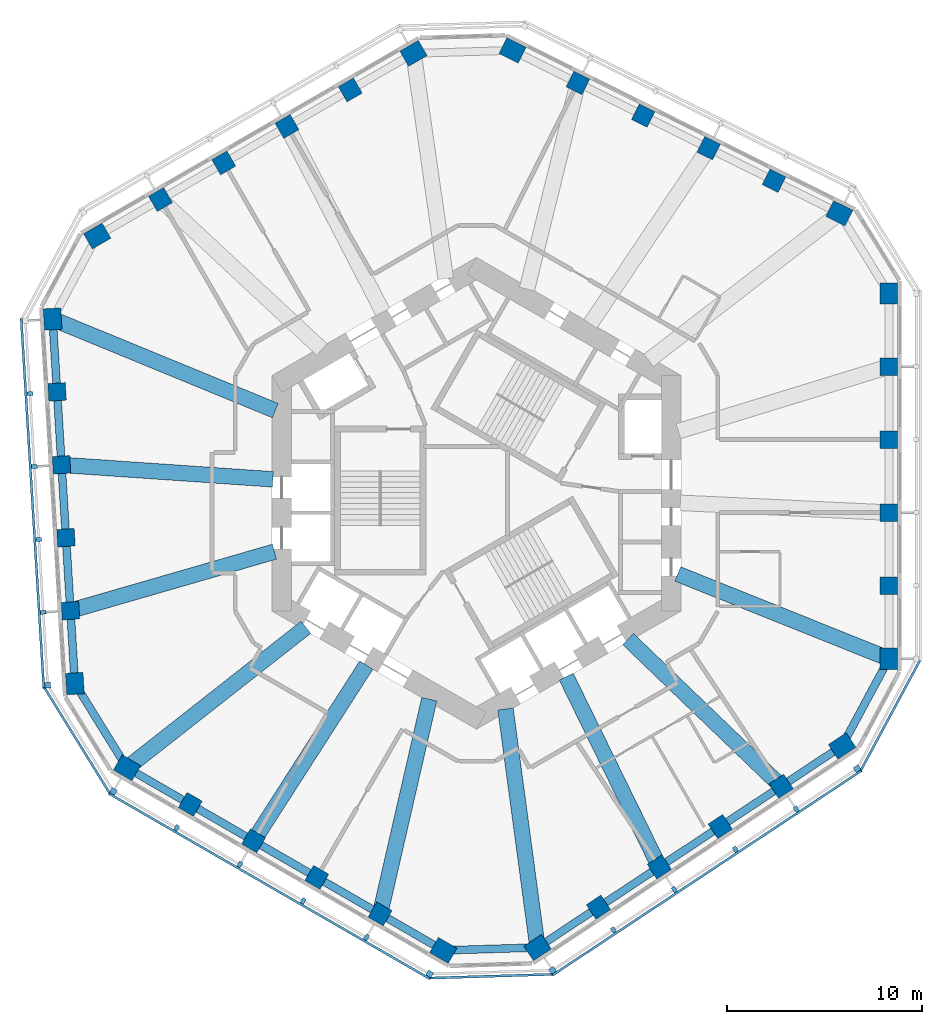
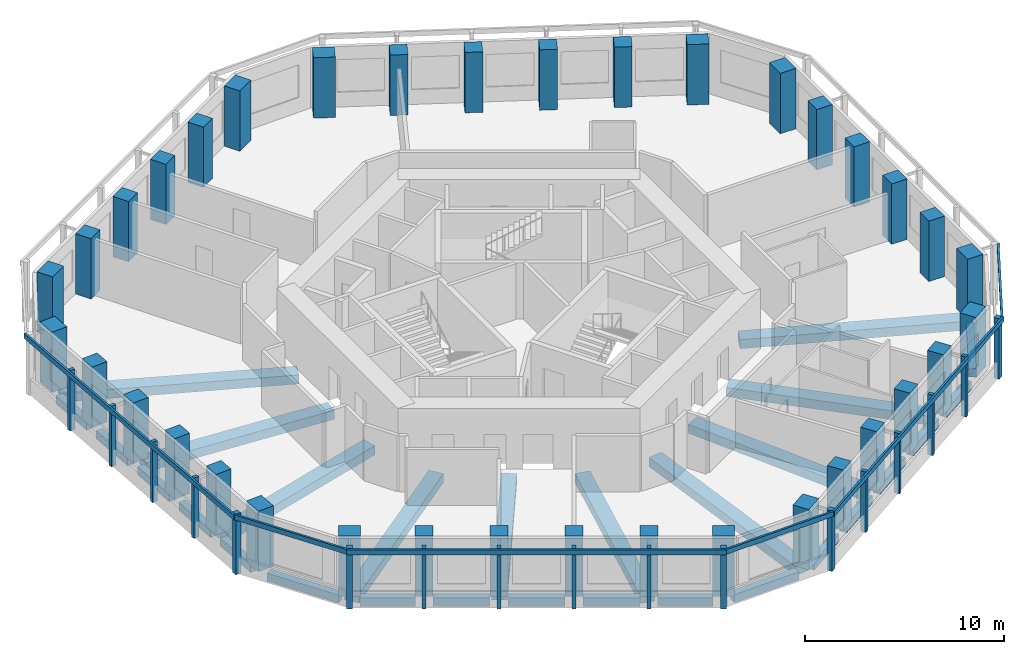
# One storey, part 1 of 10: 36 columns, 28 beams, 23 members, 6 elements without a shape of their own.
"""IFC4 building model written with IfcOpenShell, lengths in metres."""

import ifcopenshell
import ifcopenshell.guid

model = None  # the IFC model being written
_history = None  # IfcOwnerHistory: only IFC2X3 demands one
_inside = {}  # id of a spatial element -> (the spatial element, [elements in it])
_under = {}  # id of a project, library or spatial element -> (it, [spatial elements below it])
_declared = {}  # id of a project -> (the project, [libraries it declares])
_typed = {}  # id of a type object -> (the type object, [elements of that type])
_made_of = {}  # id of a material, layer set ... -> (it, [elements and type objects made of it])


def new_model(schema):
    """Start an empty IFC model of exactly this schema.

    Asked for "IFC4X3", IfcOpenShell would pick the latest addendum, in which some entities
    have other attributes; the version numbers below select the first issue.
    IFC2X3 requires an IfcOwnerHistory on every rooted entity: one is made here for all.
    """
    global model, _history
    if schema == "IFC4X3":
        model = ifcopenshell.file(schema_version=(4, 3, 0, 0))
    else:
        model = ifcopenshell.file(schema=schema)
    _inside.clear()
    _under.clear()
    _declared.clear()
    _typed.clear()
    _made_of.clear()
    _history = None
    if model.schema == "IFC2X3":
        org = make("IfcOrganization", Name="unknown")
        user = make(
            "IfcPersonAndOrganization",
            ThePerson=make("IfcPerson", FamilyName="unknown"),
            TheOrganization=org,
        )
        app = make(
            "IfcApplication",
            ApplicationDeveloper=org,
            Version="unknown",
            ApplicationFullName="unknown",
            ApplicationIdentifier="unknown",
        )
        _history = make(
            "IfcOwnerHistory",
            OwningUser=user,
            OwningApplication=app,
            ChangeAction="ADDED",
            CreationDate=0,
        )
    return model


def make(cls, **values):
    """One entity of the class cls with the attributes given. An attribute that is None is left unset."""
    return model.create_entity(
        cls, **{name: value for name, value in values.items() if value is not None}
    )


def rooted(cls, **values):
    """An entity with a GlobalId (a new one), such as an element, a storey or a relation."""
    return make(cls, GlobalId=ifcopenshell.guid.new(), OwnerHistory=_history, **values)


def si_unit(unit_type, name, prefix=None):
    """IfcSIUnit, for example si_unit("LENGTHUNIT", "METRE", prefix="MILLI")."""
    return make("IfcSIUnit", UnitType=unit_type, Prefix=prefix, Name=name)


def assignment(units):
    """IfcUnitAssignment: the units of a project."""
    return None if units is None else make("IfcUnitAssignment", Units=units)


def point(xyz):
    """IfcCartesianPoint."""
    return None if xyz is None else make("IfcCartesianPoint", Coordinates=xyz)


def direction(xyz):
    """IfcDirection."""
    return None if xyz is None else make("IfcDirection", DirectionRatios=xyz)


def frame(location, z_axis=None, x_axis=None):
    """IfcAxis2Placement3D, a coordinate frame: its origin and axes. An axis left out is left unset."""
    return make(
        "IfcAxis2Placement3D",
        Location=point(location),
        Axis=direction(z_axis),
        RefDirection=direction(x_axis),
    )


def frame_2d(location, x_axis=None):
    """IfcAxis2Placement2D, a coordinate frame in the plane: its origin and x axis."""
    return make(
        "IfcAxis2Placement2D", Location=point(location), RefDirection=direction(x_axis)
    )


def origin():
    """The frame at (0, 0, 0) with its axes left unset."""
    return frame((0.0, 0.0, 0.0))


def origin_2d():
    """The frame at (0, 0) in the plane with its x axis left unset."""
    return frame_2d((0.0, 0.0))


def place(relative_to, where):
    """IfcLocalPlacement: puts the frame where relative to a parent placement (None: the world)."""
    return make(
        "IfcLocalPlacement", PlacementRelTo=relative_to, RelativePlacement=where
    )


def context(
    kind, dimensions, precision=None, world=None, true_north=None, identifier=None
):
    """IfcGeometricRepresentationContext, for example the 3D "Model" context."""
    return make(
        "IfcGeometricRepresentationContext",
        ContextIdentifier=identifier,
        ContextType=kind,
        CoordinateSpaceDimension=dimensions,
        Precision=precision,
        WorldCoordinateSystem=world,
        TrueNorth=true_north,
    )


def subcontext(parent, identifier, kind, view, scale=None):
    """IfcGeometricRepresentationSubContext, for example "Body" below "Model"."""
    return make(
        "IfcGeometricRepresentationSubContext",
        ContextIdentifier=identifier,
        ContextType=kind,
        ParentContext=parent,
        TargetScale=scale,
        TargetView=view,
    )


def project(units=None, contexts=None):
    """IfcProject with its units and contexts."""
    return rooted(
        "IfcProject",
        Name="project",
        RepresentationContexts=contexts,
        UnitsInContext=assignment(units),
    )


def spatial(cls, under=None, at=None, **own):
    """A site, building, storey or space (cls), placed at a placement, below another one or the project."""
    s = rooted(cls, ObjectPlacement=at, **own)
    if under is not None:
        _under.setdefault(under.id(), (under, []))[1].append(s)
    return s


def profile(cls, at=None, kind="AREA", **sizes):
    """A parametric profile (cls). Its sizes go by their IFC names, for example OverallWidth=200.0."""
    return make(cls, ProfileType=kind, Position=at, **sizes)


def rectangle(**sizes):
    """IfcRectangleProfileDef."""
    return profile("IfcRectangleProfileDef", **sizes)


def extrude(swept, where, along, depth):
    """IfcExtrudedAreaSolid: the profile swept, set in the frame where, extruded along a direction by depth."""
    return make(
        "IfcExtrudedAreaSolid",
        SweptArea=swept,
        Position=where,
        ExtrudedDirection=direction(along),
        Depth=depth,
    )


def shape(context_of_items, identifier, shape_type, items):
    """IfcShapeRepresentation: the items that make up one representation, for example the "Body"."""
    return make(
        "IfcShapeRepresentation",
        ContextOfItems=context_of_items,
        RepresentationIdentifier=identifier,
        RepresentationType=shape_type,
        Items=items,
    )


def material(Name=None, Category=None):
    """IfcMaterial."""
    return make("IfcMaterial", Name=Name, Category=Category)


def material_profile(
    of_material, cross_section, Name=None, Category=None, Priority=None
):
    """IfcMaterialProfile: a cross section and its material."""
    return make(
        "IfcMaterialProfile",
        Name=Name,
        Material=of_material,
        Profile=cross_section,
        Priority=Priority,
        Category=Category,
    )


def profile_set(profiles, Name=None, composite=None):
    """IfcMaterialProfileSet."""
    return make(
        "IfcMaterialProfileSet",
        Name=Name,
        MaterialProfiles=profiles,
        CompositeProfile=composite,
    )


def made_of(thing, what):
    """Note that an element or type object is made of a material, layer set ...; save() writes the relation."""
    if what is not None:
        _made_of.setdefault(what.id(), (what, []))[1].append(thing)
    return thing


def type_object(cls, material=None, **own):
    """A type object (cls), such as IfcWallType, which elements share."""
    return made_of(rooted(cls, **own), material)


def element(
    cls,
    number,
    at=None,
    inside=None,
    cuts=None,
    type_object=None,
    material=None,
    context=None,
    identifier="Body",
    shape_type=None,
    held_by="IfcProductDefinitionShape",
    body=None,
    shapes=None,
    **own,
):
    """One element of the class cls, such as IfcWall. Its Tag is "e" and its number.

    at: its placement. inside: the storey or other place that contains it. cuts: it is an
    opening in that element (IfcRelVoidsElement). A single representation is given by context,
    identifier, shape_type and body (its items); several are given by shapes. held_by: the class
    of the entity that holds the representations. save() writes the other relations.
    """
    e = rooted(cls, Tag="e%d" % number, ObjectPlacement=at, **own)
    if body is not None:
        shapes = [shape(context, identifier, shape_type, body)]
    if shapes is not None:
        e.Representation = make(held_by, Representations=shapes)
    if inside is not None:
        _inside.setdefault(inside.id(), (inside, []))[1].append(e)
    if cuts is not None:
        rooted(
            "IfcRelVoidsElement", RelatingBuildingElement=cuts, RelatedOpeningElement=e
        )
    if type_object is not None:
        _typed.setdefault(type_object.id(), (type_object, []))[1].append(e)
    return made_of(e, material)


def aggregate(whole, parts):
    """IfcRelAggregates: a whole, such as a stair, and the parts it consists of."""
    return rooted("IfcRelAggregates", RelatingObject=whole, RelatedObjects=parts)


def save(model, path):
    """Write the relations noted so far, then the file.

    IfcRelAggregates (storeys below a building ...), IfcRelContainedInSpatialStructure (elements
    in a storey), IfcRelDefinesByType, IfcRelAssociatesMaterial and IfcRelDeclares: one each for
    every whole, place, type object, material and project.
    """
    for whole, parts in _under.values():
        aggregate(whole, parts)
    for where, things in _inside.values():
        rooted(
            "IfcRelContainedInSpatialStructure",
            RelatedElements=things,
            RelatingStructure=where,
        )
    for kind, things in _typed.values():
        rooted("IfcRelDefinesByType", RelatedObjects=things, RelatingType=kind)
    for what, things in _made_of.values():
        rooted("IfcRelAssociatesMaterial", RelatedObjects=things, RelatingMaterial=what)
    for by, libraries in _declared.values():
        rooted("IfcRelDeclares", RelatingContext=by, RelatedDefinitions=libraries)
    model.write(path)


model = new_model("IFC4")

# Units and contexts
model_context = context("Model", 3, precision=1e-05, world=origin(), true_north=direction((0.0, 1.0)))
body_context = subcontext(model_context, "Body", "Model", "MODEL_VIEW")
ifc_project = project(units=[si_unit("LENGTHUNIT", "METRE"), si_unit("AREAUNIT", "SQUARE_METRE"), si_unit("VOLUMEUNIT", "CUBIC_METRE"), si_unit("PLANEANGLEUNIT", "RADIAN"), si_unit("MASSUNIT", "GRAM", prefix="KILO")], contexts=[model_context])

# Site, building, storey
site_placement = place(None, origin())
site = spatial("IfcSite", under=ifc_project, at=site_placement, CompositionType="ELEMENT")
building_placement = place(site_placement, origin())
building = spatial("IfcBuilding", under=site, at=building_placement, Name="Vanh Sen Convention Tower", CompositionType="ELEMENT")
storey_placement = place(building_placement, frame((0.0, 0.0, 191.0)))
storey = spatial("IfcBuildingStorey", under=building, at=storey_placement, Name="L47", CompositionType="ELEMENT", Elevation=191.0)

# Columns
ifc_material_1 = material(Name="Concrete C80/95", Category="concrete")
ifc_material_profile_1 = material_profile(ifc_material_1, rectangle(XDim=0.89990234375, YDim=0.89990234375, at=origin_2d()), Name="RC 900X900")
ifc_profile_set_1 = profile_set([ifc_material_profile_1], Name="Concrete C80/95")
column_type_1 = type_object("IfcColumnType", Name="Facade column 900 x 900 C80/95", PredefinedType="COLUMN", material=ifc_profile_set_1)
for number, where, z_axis, x_axis, name in (
    (1, (21.199951171875, -4.746826171875, 0.0), (0.0, 0.0, 1.0), (0.0, 1.0, 0.0), "Facade column 02 L47"),
    (2, (21.199951171875, -0.992919921875, 0.0), (0.0, 0.0, 1.0), (0.0, 1.0, 0.0), "Facade column 03 L47"),
    (3, (21.199951171875, 2.76123046875, 0.0), (0.0, 0.0, 1.0), (0.0, 1.0, 0.0), "Facade column 04 L47"),
    (4, (21.199951171875, 6.515380859375, 0.0), (0.0, 0.0, 1.0), (0.0, 1.0, 0.0), "Facade column 05 L47"),
    (5, (15.290283203125, 16.0654296875, 0.0), (0.0, 0.0, 1.0), (-0.894934361602, 0.44619781311, 0.0), "Facade column 08 L47"),
    (6, (11.9306640625, 17.740478515625, 0.0), (0.0, 0.0, 1.0), (-0.894934361602, 0.44619781311, 0.0), "Facade column 09 L47"),
    (7, (8.57080078125, 19.41552734375, 0.0), (0.0, 0.0, 1.0), (-0.894934361602, 0.44619781311, 0.0), "Facade column 10 L47"),
    (8, (5.211181640625, 21.0908203125, 0.0), (0.0, 0.0, 1.0), (-0.894934361602, 0.44619781311, 0.0), "Facade column 11 L47"),
    (9, (-6.489013671875, 20.733154296875, 0.0), (0.0, 0.0, 1.0), (-0.866025403784, -0.5, 0.0), "Facade column 14 L47"),
    (10, (-9.740234375, 18.856201171875, 0.0), (0.0, 0.0, 1.0), (-0.866025403784, -0.5, 0.0), "Facade column 15 L47"),
    (11, (-12.991455078125, 16.97900390625, 0.0), (0.0, 0.0, 1.0), (-0.866025403784, -0.5, 0.0), "Facade column 16 L47"),
    (12, (-16.242431640625, 15.10205078125, 0.0), (0.0, 0.0, 1.0), (-0.866025403784, -0.5, 0.0), "Facade column 17 L47"),
    (13, (-21.55810546875, 5.208984375, 0.0), (0.0, 0.0, 1.0), (0.061048539535, -0.998134798422, 0.0), "Facade column 20 L47"),
    (14, (-21.3291015625, 1.4619140625, 0.0), (0.0, 0.0, 1.0), (0.061048539535, -0.998134798422, 0.0), "Facade column 21 L47"),
    (15, (-21.099853515625, -2.28515625, 0.0), (0.0, 0.0, 1.0), (0.061048539535, -0.998134798422, 0.0), "Facade column 22 L47"),
    (16, (-20.87060546875, -6.0322265625, 0.0), (0.0, 0.0, 1.0), (0.061048539535, -0.998134798422, 0.0), "Facade column 23 L47"),
    (17, (-14.7109375, -15.986328125, 0.0), (0.0, 0.0, 1.0), (0.866025403784, -0.5, 0.0), "Facade column 26 L47"),
    (18, (-11.459716796875, -17.86328125, 0.0), (0.0, 0.0, 1.0), (0.866025403784, -0.5, 0.0), "Facade column 27 L47"),
    (19, (-8.20849609375, -19.740478515625, 0.0), (0.0, 0.0, 1.0), (0.866025403784, -0.5, 0.0), "Facade column 28 L47"),
    (20, (-4.95751953125, -21.617431640625, 0.0), (0.0, 0.0, 1.0), (0.866025403784, -0.5, 0.0), "Facade column 29 L47"),
    (21, (6.267822265625, -21.2744140625, 0.0), (0.0, 0.0, 1.0), (0.833885822067, 0.551936985312, 0.0), "Facade column 32 L47"),
    (22, (9.3984375, -19.202392578125, 0.0), (0.0, 0.0, 1.0), (0.833885822067, 0.551936985312, 0.0), "Facade column 33 L47"),
    (23, (12.52880859375, -17.13037109375, 0.0), (0.0, 0.0, 1.0), (0.833885822067, 0.551936985312, 0.0), "Facade column 34 L47"),
    (24, (15.659423828125, -15.058349609375, 0.0), (0.0, 0.0, 1.0), (0.833885822067, 0.551936985312, 0.0), "Facade column 35 L47"),
):
    element("IfcColumn", number, at=place(storey_placement, frame(where, z_axis=z_axis, x_axis=x_axis)), inside=storey, type_object=column_type_1, Name=name, PredefinedType="COLUMN", context=body_context, shape_type="SweptSolid", body=[
        extrude(rectangle(XDim=0.89990234375, YDim=0.89990234375, at=origin_2d()), origin(), (0.0, 0.0, 1.0), 3.699951171875),
    ])
ifc_material_profile_2 = material_profile(ifc_material_1, rectangle(XDim=1.10009765625, YDim=0.89990234375, at=origin_2d()), Name="RC 1100X900")
ifc_profile_set_2 = profile_set([ifc_material_profile_2], Name="Concrete C80/95")
column_type_2 = type_object("IfcColumnType", Name="Facade corner column 1100 x 900 C80/95", PredefinedType="COLUMN", material=ifc_profile_set_2)
for number, where, z_axis, x_axis, name in (
    (25, (21.199951171875, -8.5009765625, 0.0), (0.0, 0.0, 1.0), (0.0, 1.0, 0.0), "Facade column 01 L47"),
    (26, (21.199951171875, 10.26953125, 0.0), (0.0, 0.0, 1.0), (0.0, 1.0, 0.0), "Facade column 06 L47"),
    (27, (18.64990234375, 14.390380859375, 0.0), (0.0, 0.0, 1.0), (-0.894934361602, 0.44619781311, 0.0), "Facade column 07 L47"),
    (28, (1.8515625, 22.765625, 0.0), (0.0, 0.0, 1.0), (-0.894934361602, 0.44619781311, 0.0), "Facade column 12 L47"),
    (29, (-3.23779296875, 22.610107421875, 0.0), (0.0, 0.0, 1.0), (-0.866025403784, -0.5, 0.0), "Facade column 13 L47"),
    (30, (-19.49365234375, 13.22509765625, 0.0), (0.0, 0.0, 1.0), (-0.866025403784, -0.5, 0.0), "Facade column 18 L47"),
    (31, (-21.787353515625, 8.956298828125, 0.0), (0.0, 0.0, 1.0), (0.061048539535, -0.998134798422, 0.0), "Facade column 19 L47"),
    (32, (-20.6416015625, -9.779296875, 0.0), (0.0, 0.0, 1.0), (0.061048539535, -0.998134798422, 0.0), "Facade column 24 L47"),
    (33, (-17.962158203125, -14.109130859375, 0.0), (0.0, 0.0, 1.0), (0.866025403784, -0.5, 0.0), "Facade column 25 L47"),
    (34, (-1.706298828125, -23.494384765625, 0.0), (0.0, 0.0, 1.0), (0.866025403784, -0.5, 0.0), "Facade column 30 L47"),
    (35, (3.137451171875, -23.346435546875, 0.0), (0.0, 0.0, 1.0), (0.833885822067, 0.551936985312, 0.0), "Facade column 31 L47"),
    (36, (18.789794921875, -12.986328125, 0.0), (0.0, 0.0, 1.0), (0.833885822067, 0.551936985312, 0.0), "Facade column 36 L47"),
):
    element("IfcColumn", number, at=place(storey_placement, frame(where, z_axis=z_axis, x_axis=x_axis)), inside=storey, type_object=column_type_2, Name=name, PredefinedType="COLUMN", context=body_context, shape_type="SweptSolid", body=[
        extrude(rectangle(XDim=1.10009765625, YDim=0.89990234375, at=origin_2d()), origin(), (0.0, 0.0, 1.0), 3.699951171875),
    ])

# Curtain wall, member
ifc_material_2 = material(Name="Concrete C50/60", Category="concrete")
curtain_wall_type = type_object("IfcCurtainWallType", Name="Outer skin office zone", PredefinedType="NOTDEFINED", material=ifc_material_2)
curtain_wall_1_placement = place(storey_placement, origin())
curtain_wall_1 = element("IfcCurtainWall", 37, at=curtain_wall_1_placement, inside=storey, type_object=curtain_wall_type, Name="OUTER SKIN W L47", PredefinedType="NOTDEFINED")
ifc_material_profile_3 = material_profile(ifc_material_2, rectangle(XDim=0.300048828125, YDim=0.300048828125, at=origin_2d()), Name="Outer skin precast corner fin 300 x 300")
ifc_profile_set_3 = profile_set([ifc_material_profile_3], Name="Concrete C50/60")
member_type_1 = type_object("IfcMemberType", Name="Outer skin precast corner fin 300 x 300", PredefinedType="MULLION", material=ifc_profile_set_3)
member_1_placement = place(storey_placement, frame((-22.038818359375, -9.864990234375, 0.0), z_axis=(0.0, 0.0, 1.0), x_axis=(0.061048539535, -0.998134798422, 0.0)))
member_1 = element("IfcMember", 38, at=member_1_placement, type_object=member_type_1, Name="OUTER SKIN CORNER FIN 6 W L47", PredefinedType="MULLION", context=body_context, shape_type="SweptSolid", body=[
    extrude(rectangle(XDim=0.300048828125, YDim=0.300048828125, at=origin_2d()), origin(), (0.0, 0.0, 1.0), 3.699951171875),
])

# Curtain wall, members
curtain_wall_2_placement = place(storey_placement, origin())
curtain_wall_2 = element("IfcCurtainWall", 39, at=curtain_wall_2_placement, inside=storey, type_object=curtain_wall_type, Name="OUTER SKIN SW L47", PredefinedType="NOTDEFINED")
member_2_placement = place(storey_placement, frame((-18.662109375, -15.321533203125, 0.0), z_axis=(0.0, 0.0, 1.0), x_axis=(0.866025403784, -0.5, 0.0)))
member_2 = element("IfcMember", 40, at=member_2_placement, type_object=member_type_1, Name="OUTER SKIN CORNER FIN 1 SW L47", PredefinedType="MULLION", context=body_context, shape_type="SweptSolid", body=[
    extrude(rectangle(XDim=0.300048828125, YDim=0.300048828125, at=origin_2d()), origin(), (0.0, 0.0, 1.0), 3.699951171875),
])
member_3_placement = place(storey_placement, frame((-2.40625, -24.706787109375, 0.0), z_axis=(0.0, 0.0, 1.0), x_axis=(0.866025403784, -0.5, 0.0)))
member_3 = element("IfcMember", 41, at=member_3_placement, type_object=member_type_1, Name="OUTER SKIN CORNER FIN 6 SW L47", PredefinedType="MULLION", context=body_context, shape_type="SweptSolid", body=[
    extrude(rectangle(XDim=0.300048828125, YDim=0.300048828125, at=origin_2d()), origin(), (0.0, 0.0, 1.0), 3.699951171875),
])

curtain_wall_3_placement = place(storey_placement, origin())
curtain_wall_3 = element("IfcCurtainWall", 42, at=curtain_wall_3_placement, inside=storey, type_object=curtain_wall_type, Name="OUTER SKIN SE L47", PredefinedType="NOTDEFINED")
member_4_placement = place(storey_placement, frame((3.91015625, -24.513916015625, 0.0), z_axis=(0.0, 0.0, 1.0), x_axis=(0.833885822067, 0.551936985312, 0.0)))
member_4 = element("IfcMember", 43, at=member_4_placement, type_object=member_type_1, Name="OUTER SKIN CORNER FIN 1 SE L47", PredefinedType="MULLION", context=body_context, shape_type="SweptSolid", body=[
    extrude(rectangle(XDim=0.300048828125, YDim=0.300048828125, at=origin_2d()), origin(), (0.0, 0.0, 1.0), 3.699951171875),
])
member_5_placement = place(storey_placement, frame((19.5625, -14.15380859375, 0.0), z_axis=(0.0, 0.0, 1.0), x_axis=(0.833885822067, 0.551936985312, 0.0)))
member_5 = element("IfcMember", 44, at=member_5_placement, type_object=member_type_1, Name="OUTER SKIN CORNER FIN 6 SE L47", PredefinedType="MULLION", context=body_context, shape_type="SweptSolid", body=[
    extrude(rectangle(XDim=0.300048828125, YDim=0.300048828125, at=origin_2d()), origin(), (0.0, 0.0, 1.0), 3.699951171875),
])

# Member
ifc_material_profile_4 = material_profile(ifc_material_2, rectangle(XDim=0.199951171875, YDim=0.300048828125, at=origin_2d()), Name="Outer skin precast fin 200 x 300")
ifc_profile_set_4 = profile_set([ifc_material_profile_4], Name="Concrete C50/60")
member_type_2 = type_object("IfcMemberType", Name="Outer skin precast fin 200 x 300", PredefinedType="MULLION", material=ifc_profile_set_4)
member_6_placement = place(storey_placement, frame((-22.95556640625, 5.12353515625, 0.0), z_axis=(0.0, 0.0, 1.0), x_axis=(0.061048539535, -0.998134798422, 0.0)))
member_6 = element("IfcMember", 45, at=member_6_placement, type_object=member_type_2, Name="OUTER SKIN fin 2 W L47", PredefinedType="MULLION", context=body_context, shape_type="SweptSolid", body=[
    extrude(rectangle(XDim=0.199951171875, YDim=0.300048828125, at=origin_2d()), origin(), (0.0, 0.0, 1.0), 3.699951171875),
])

member_7_placement = place(storey_placement, frame((-22.726318359375, 1.37646484375, 0.0), z_axis=(0.0, 0.0, 1.0), x_axis=(0.061048539535, -0.998134798422, 0.0)))
member_7 = element("IfcMember", 46, at=member_7_placement, type_object=member_type_2, Name="OUTER SKIN fin 3 W L47", PredefinedType="MULLION", context=body_context, shape_type="SweptSolid", body=[
    extrude(rectangle(XDim=0.199951171875, YDim=0.300048828125, at=origin_2d()), origin(), (0.0, 0.0, 1.0), 3.699951171875),
])

member_8_placement = place(storey_placement, frame((-22.497314453125, -2.37060546875, 0.0), z_axis=(0.0, 0.0, 1.0), x_axis=(0.061048539535, -0.998134798422, 0.0)))
member_8 = element("IfcMember", 47, at=member_8_placement, type_object=member_type_2, Name="OUTER SKIN fin 4 W L47", PredefinedType="MULLION", context=body_context, shape_type="SweptSolid", body=[
    extrude(rectangle(XDim=0.199951171875, YDim=0.300048828125, at=origin_2d()), origin(), (0.0, 0.0, 1.0), 3.699951171875),
])

member_9_placement = place(storey_placement, frame((-22.26806640625, -6.117919921875, 0.0), z_axis=(0.0, 0.0, 1.0), x_axis=(0.061048539535, -0.998134798422, 0.0)))
member_9 = element("IfcMember", 48, at=member_9_placement, type_object=member_type_2, Name="OUTER SKIN fin 5 W L47", PredefinedType="MULLION", context=body_context, shape_type="SweptSolid", body=[
    extrude(rectangle(XDim=0.199951171875, YDim=0.300048828125, at=origin_2d()), origin(), (0.0, 0.0, 1.0), 3.699951171875),
])

member_10_placement = place(storey_placement, frame((-15.410888671875, -17.19873046875, 0.0), z_axis=(0.0, 0.0, 1.0), x_axis=(0.866025403784, -0.5, 0.0)))
member_10 = element("IfcMember", 49, at=member_10_placement, type_object=member_type_2, Name="OUTER SKIN fin 2 SW L47", PredefinedType="MULLION", context=body_context, shape_type="SweptSolid", body=[
    extrude(rectangle(XDim=0.199951171875, YDim=0.300048828125, at=origin_2d()), origin(), (0.0, 0.0, 1.0), 3.699951171875),
])

member_11_placement = place(storey_placement, frame((-12.159912109375, -19.07568359375, 0.0), z_axis=(0.0, 0.0, 1.0), x_axis=(0.866025403784, -0.5, 0.0)))
member_11 = element("IfcMember", 50, at=member_11_placement, type_object=member_type_2, Name="OUTER SKIN fin 3 SW L47", PredefinedType="MULLION", context=body_context, shape_type="SweptSolid", body=[
    extrude(rectangle(XDim=0.199951171875, YDim=0.300048828125, at=origin_2d()), origin(), (0.0, 0.0, 1.0), 3.699951171875),
])

member_12_placement = place(storey_placement, frame((-8.90869140625, -20.952880859375, 0.0), z_axis=(0.0, 0.0, 1.0), x_axis=(0.866025403784, -0.5, 0.0)))
member_12 = element("IfcMember", 51, at=member_12_placement, type_object=member_type_2, Name="OUTER SKIN fin 4 SW L47", PredefinedType="MULLION", context=body_context, shape_type="SweptSolid", body=[
    extrude(rectangle(XDim=0.199951171875, YDim=0.300048828125, at=origin_2d()), origin(), (0.0, 0.0, 1.0), 3.699951171875),
])

member_13_placement = place(storey_placement, frame((-5.657470703125, -22.829833984375, 0.0), z_axis=(0.0, 0.0, 1.0), x_axis=(0.866025403784, -0.5, 0.0)))
member_13 = element("IfcMember", 52, at=member_13_placement, type_object=member_type_2, Name="OUTER SKIN fin 5 SW L47", PredefinedType="MULLION", context=body_context, shape_type="SweptSolid", body=[
    extrude(rectangle(XDim=0.199951171875, YDim=0.300048828125, at=origin_2d()), origin(), (0.0, 0.0, 1.0), 3.699951171875),
])

member_14_placement = place(storey_placement, frame((7.04052734375, -22.44189453125, 0.0), z_axis=(0.0, 0.0, 1.0), x_axis=(0.833885822067, 0.551936985312, 0.0)))
member_14 = element("IfcMember", 53, at=member_14_placement, type_object=member_type_2, Name="OUTER SKIN fin 2 SE L47", PredefinedType="MULLION", context=body_context, shape_type="SweptSolid", body=[
    extrude(rectangle(XDim=0.199951171875, YDim=0.300048828125, at=origin_2d()), origin(), (0.0, 0.0, 1.0), 3.699951171875),
])

member_15_placement = place(storey_placement, frame((10.171142578125, -20.369873046875, 0.0), z_axis=(0.0, 0.0, 1.0), x_axis=(0.833885822067, 0.551936985312, 0.0)))
member_15 = element("IfcMember", 54, at=member_15_placement, type_object=member_type_2, Name="OUTER SKIN fin 3 SE L47", PredefinedType="MULLION", context=body_context, shape_type="SweptSolid", body=[
    extrude(rectangle(XDim=0.199951171875, YDim=0.300048828125, at=origin_2d()), origin(), (0.0, 0.0, 1.0), 3.699951171875),
])

member_16_placement = place(storey_placement, frame((13.301513671875, -18.2978515625, 0.0), z_axis=(0.0, 0.0, 1.0), x_axis=(0.833885822067, 0.551936985312, 0.0)))
member_16 = element("IfcMember", 55, at=member_16_placement, type_object=member_type_2, Name="OUTER SKIN fin 4 SE L47", PredefinedType="MULLION", context=body_context, shape_type="SweptSolid", body=[
    extrude(rectangle(XDim=0.199951171875, YDim=0.300048828125, at=origin_2d()), origin(), (0.0, 0.0, 1.0), 3.699951171875),
])

member_17_placement = place(storey_placement, frame((16.43212890625, -16.225830078125, 0.0), z_axis=(0.0, 0.0, 1.0), x_axis=(0.833885822067, 0.551936985312, 0.0)))
member_17 = element("IfcMember", 56, at=member_17_placement, type_object=member_type_2, Name="OUTER SKIN fin 5 SE L47", PredefinedType="MULLION", context=body_context, shape_type="SweptSolid", body=[
    extrude(rectangle(XDim=0.199951171875, YDim=0.300048828125, at=origin_2d()), origin(), (0.0, 0.0, 1.0), 3.699951171875),
])

ifc_material_profile_5 = material_profile(ifc_material_2, rectangle(XDim=0.1201171875, YDim=0.300048828125, at=origin_2d()), Name="Outer skin precast spandrel band 300 x 120")
ifc_profile_set_5 = profile_set([ifc_material_profile_5], Name="Concrete C50/60")
member_type_3 = type_object("IfcMemberType", Name="Outer skin precast spandrel band 300 x 120", PredefinedType="USERDEFINED", material=ifc_profile_set_5)
member_18_placement = place(storey_placement, frame((-23.403564453125, 9.007568359375, 3.550048828125), z_axis=(0.061052799403, -0.998134537868, 0.0), x_axis=(0.998134537868, 0.061052799403, 0.0)))
member_18 = element("IfcMember", 57, at=member_18_placement, type_object=member_type_3, Name="OUTER SKIN spandrel band W L47", ObjectType="TRANSOM", PredefinedType="USERDEFINED", context=body_context, shape_type="SweptSolid", body=[
    extrude(rectangle(XDim=0.1201171875, YDim=0.300048828125, at=origin_2d()), origin(), (0.0, 0.0, 1.0), 19.070556640625),
])

aggregate(curtain_wall_1, [member_6, member_7, member_8, member_9, member_1, member_18])

# Curtain wall, member
curtain_wall_4_placement = place(storey_placement, origin())
curtain_wall_4 = element("IfcCurtainWall", 58, at=curtain_wall_4_placement, inside=storey, type_object=curtain_wall_type, Name="OUTER SKIN CH4 L47", PredefinedType="NOTDEFINED")
member_19_placement = place(storey_placement, frame((-22.217529296875, -9.975341796875, 3.550048828125), z_axis=(0.526207913146, -0.85035594438, 0.0), x_axis=(0.85035594438, 0.526207913146, 0.0)))
member_19 = element("IfcMember", 59, at=member_19_placement, type_object=member_type_3, Name="OUTER SKIN spandrel band CH4 L47", ObjectType="TRANSOM", PredefinedType="USERDEFINED", context=body_context, shape_type="SweptSolid", body=[
    extrude(rectangle(XDim=0.1201171875, YDim=0.300048828125, at=origin_2d()), origin(), (0.0, 0.0, 1.0), 6.4169921875),
])
aggregate(curtain_wall_4, [member_19])

# Member
member_20_placement = place(storey_placement, frame((-18.89697265625, -15.428466796875, 3.550048828125), z_axis=(0.866023136587, -0.500003926881, 0.0), x_axis=(0.500003926881, 0.866023136587, 0.0)))
member_20 = element("IfcMember", 60, at=member_20_placement, type_object=member_type_3, Name="OUTER SKIN spandrel band SW L47", ObjectType="TRANSOM", PredefinedType="USERDEFINED", context=body_context, shape_type="SweptSolid", body=[
    extrude(rectangle(XDim=0.1201171875, YDim=0.300048828125, at=origin_2d()), origin(), (0.0, 0.0, 1.0), 19.070556640625),
])

aggregate(curtain_wall_2, [member_2, member_10, member_11, member_12, member_13, member_3, member_20])

# Curtain wall, member
curtain_wall_5_placement = place(storey_placement, origin())
curtain_wall_5 = element("IfcCurtainWall", 61, at=curtain_wall_5_placement, inside=storey, type_object=curtain_wall_type, Name="OUTER SKIN CH5 L47", PredefinedType="NOTDEFINED")
member_21_placement = place(storey_placement, frame((-2.39990234375, -24.916748046875, 3.550048828125), z_axis=(0.99953413443, 0.030520716071, 0.0), x_axis=(-0.030520716071, 0.99953413443, 0.0)))
member_21 = element("IfcMember", 62, at=member_21_placement, type_object=member_type_3, Name="OUTER SKIN spandrel band CH5 L47", ObjectType="TRANSOM", PredefinedType="USERDEFINED", context=body_context, shape_type="SweptSolid", body=[
    extrude(rectangle(XDim=0.1201171875, YDim=0.300048828125, at=origin_2d()), origin(), (0.0, 0.0, 1.0), 6.3193359375),
])
aggregate(curtain_wall_5, [member_21])

# Member
member_22_placement = place(storey_placement, frame((3.90087890625, -24.771728515625, 3.550048828125), z_axis=(0.833891134859, 0.551928958475, 0.0), x_axis=(-0.551928958475, 0.833891134859, 0.0)))
member_22 = element("IfcMember", 63, at=member_22_placement, type_object=member_type_3, Name="OUTER SKIN spandrel band SE L47", ObjectType="TRANSOM", PredefinedType="USERDEFINED", context=body_context, shape_type="SweptSolid", body=[
    extrude(rectangle(XDim=0.1201171875, YDim=0.300048828125, at=origin_2d()), origin(), (0.0, 0.0, 1.0), 19.070556640625),
])

aggregate(curtain_wall_3, [member_4, member_14, member_15, member_16, member_17, member_5, member_22])

# Curtain wall, member
curtain_wall_6_placement = place(storey_placement, origin())
curtain_wall_6 = element("IfcCurtainWall", 64, at=curtain_wall_6_placement, inside=storey, type_object=curtain_wall_type, Name="OUTER SKIN CH6 L47", PredefinedType="NOTDEFINED")
member_23_placement = place(storey_placement, frame((19.74755859375, -14.253173828125, 3.550048828125), z_axis=(0.473316922434, 0.880892213008, 0.0), x_axis=(-0.880892213008, 0.473316922434, 0.0)))
member_23 = element("IfcMember", 65, at=member_23_placement, type_object=member_type_3, Name="OUTER SKIN spandrel band CH6 L47", ObjectType="TRANSOM", PredefinedType="USERDEFINED", context=body_context, shape_type="SweptSolid", body=[
    extrude(rectangle(XDim=0.1201171875, YDim=0.300048828125, at=origin_2d()), origin(), (0.0, 0.0, 1.0), 6.417236328125),
])
aggregate(curtain_wall_6, [member_23])

# Beams
ifc_material_3 = material(Name="Concrete C50/60", Category="concrete")
ifc_material_profile_6 = material_profile(ifc_material_3, rectangle(XDim=0.800048828125, YDim=0.550048828125, at=origin_2d()), Name="RC 800X550")
ifc_profile_set_6 = profile_set([ifc_material_profile_6], Name="Concrete C50/60")
beam_type_1 = type_object("IfcBeamType", Name="Radial floor beam 800 x 550", PredefinedType="BEAM", material=ifc_profile_set_6)
beam_1_placement = place(storey_placement, frame((20.903564453125, -8.382080078125, -0.554931640625), z_axis=(-0.928156603648, 0.372189896565, 0.0), x_axis=(-0.372189896565, -0.928156603648, 0.0)))
element("IfcBeam", 66, at=beam_1_placement, inside=storey, type_object=beam_type_1, Name="Radial beam 01 L47", PredefinedType="BEAM", context=body_context, shape_type="SweptSolid", body=[
    extrude(rectangle(XDim=0.800048828125, YDim=0.550048828125, at=origin_2d()), origin(), (0.0, 0.0, 1.0), 11.374267578125),
])
beam_2_placement = place(storey_placement, frame((-21.5087890625, 8.841796875, -0.554931640625), z_axis=(0.924896155716, -0.38021980635, 0.0), x_axis=(0.38021980635, 0.924896155716, 0.0)))
element("IfcBeam", 67, at=beam_2_placement, inside=storey, type_object=beam_type_1, Name="Radial beam 10 L47", PredefinedType="BEAM", context=body_context, shape_type="SweptSolid", body=[
    extrude(rectangle(XDim=0.800048828125, YDim=0.550048828125, at=origin_2d()), origin(), (0.0, 0.0, 1.0), 12.072265625),
])
beam_3_placement = place(storey_placement, frame((-20.93310546875, 1.434814453125, -0.554931640625), z_axis=(0.997659434277, -0.068378748143, 0.0), x_axis=(0.068378748143, 0.997659434277, 0.0)))
element("IfcBeam", 68, at=beam_3_placement, inside=storey, type_object=beam_type_1, Name="Radial beam 11 L47", PredefinedType="BEAM", context=body_context, shape_type="SweptSolid", body=[
    extrude(rectangle(XDim=0.800048828125, YDim=0.550048828125, at=origin_2d()), origin(), (0.0, 0.0, 1.0), 10.489990234375),
])
beam_4_placement = place(storey_placement, frame((-20.61328125, -5.9580078125, -0.554931640625), z_axis=(0.96067232832, 0.277684492906, 0.0), x_axis=(-0.277684492906, 0.96067232832, 0.0)))
element("IfcBeam", 69, at=beam_4_placement, inside=storey, type_object=beam_type_1, Name="Radial beam 12 L47", PredefinedType="BEAM", context=body_context, shape_type="SweptSolid", body=[
    extrude(rectangle(XDim=0.800048828125, YDim=0.550048828125, at=origin_2d()), origin(), (0.0, 0.0, 1.0), 10.64794921875),
])
beam_5_placement = place(storey_placement, frame((-17.7109375, -13.911865234375, -0.554931640625), z_axis=(0.786403987122, 0.617712529449, 0.0), x_axis=(-0.617712529449, 0.786403987122, 0.0)))
element("IfcBeam", 70, at=beam_5_placement, inside=storey, type_object=beam_type_1, Name="Radial beam 13 L47", PredefinedType="BEAM", context=body_context, shape_type="SweptSolid", body=[
    extrude(rectangle(XDim=0.800048828125, YDim=0.550048828125, at=origin_2d()), origin(), (0.0, 0.0, 1.0), 11.3740234375),
])
beam_6_placement = place(storey_placement, frame((-11.2294921875, -17.504150390625, -0.554931640625), z_axis=(0.539967356894, 0.841685958947, 0.0), x_axis=(-0.841685958947, 0.539967356894, 0.0)))
element("IfcBeam", 71, at=beam_6_placement, inside=storey, type_object=beam_type_1, Name="Radial beam 14 L47", PredefinedType="BEAM", context=body_context, shape_type="SweptSolid", body=[
    extrude(rectangle(XDim=0.800048828125, YDim=0.550048828125, at=origin_2d()), origin(), (0.0, 0.0, 1.0), 10.308837890625),
])
beam_7_placement = place(storey_placement, frame((-4.9072265625, -21.39794921875, -0.554931640625), z_axis=(0.223532057965, 0.974696577947, 0.0), x_axis=(-0.974696577947, 0.223532057965, 0.0)))
element("IfcBeam", 72, at=beam_7_placement, inside=storey, type_object=beam_type_1, Name="Radial beam 15 L47", PredefinedType="BEAM", context=body_context, shape_type="SweptSolid", body=[
    extrude(rectangle(XDim=0.800048828125, YDim=0.550048828125, at=origin_2d()), origin(), (0.0, 0.0, 1.0), 11.0966796875),
])
beam_8_placement = place(storey_placement, frame((3.097412109375, -23.0478515625, -0.554931640625), z_axis=(-0.133194270132, 0.991089948695, 0.0), x_axis=(-0.991089948695, -0.133194270132, 0.0)))
element("IfcBeam", 73, at=beam_8_placement, inside=storey, type_object=beam_type_1, Name="Radial beam 16 L47", PredefinedType="BEAM", context=body_context, shape_type="SweptSolid", body=[
    extrude(rectangle(XDim=0.800048828125, YDim=0.550048828125, at=origin_2d()), origin(), (0.0, 0.0, 1.0), 12.072021484375),
])
beam_9_placement = place(storey_placement, frame((9.22412109375, -18.84619140625, -0.554931640625), z_axis=(-0.439610391955, 0.898188567777, 0.0), x_axis=(-0.898188567777, -0.439610391955, 0.0)))
element("IfcBeam", 74, at=beam_9_placement, inside=storey, type_object=beam_type_1, Name="Radial beam 17 L47", PredefinedType="BEAM", context=body_context, shape_type="SweptSolid", body=[
    extrude(rectangle(XDim=0.800048828125, YDim=0.550048828125, at=origin_2d()), origin(), (0.0, 0.0, 1.0), 10.490234375),
])
beam_10_placement = place(storey_placement, frame((15.46630859375, -14.87255859375, -0.554931640625), z_axis=(-0.720808831616, 0.693133917987, 0.0), x_axis=(-0.693133917987, -0.720808831616, 0.0)))
element("IfcBeam", 75, at=beam_10_placement, inside=storey, type_object=beam_type_1, Name="Radial beam 18 L47", PredefinedType="BEAM", context=body_context, shape_type="SweptSolid", body=[
    extrude(rectangle(XDim=0.800048828125, YDim=0.550048828125, at=origin_2d()), origin(), (0.0, 0.0, 1.0), 10.64794921875),
])
ifc_material_profile_7 = material_profile(ifc_material_3, rectangle(XDim=0.39990234375, YDim=0.5, at=origin_2d()), Name="RC 400X500")
ifc_profile_set_7 = profile_set([ifc_material_profile_7], Name="Concrete C50/60")
beam_type_2 = type_object("IfcBeamType", Name="Spandrel beam 400 x 500", PredefinedType="SPANDREL", material=ifc_profile_set_7)
beam_11_placement = place(storey_placement, frame((-21.754150390625, 8.412353515625, -0.530029296875), z_axis=(0.061031049006, -0.998135868035, 0.0), x_axis=(0.998135868035, 0.061031049006, 0.0)))
element("IfcBeam", 76, at=beam_11_placement, inside=storey, type_object=beam_type_2, Name="Spandrel beam 19 L47", PredefinedType="SPANDREL", context=body_context, shape_type="SweptSolid", body=[
    extrude(rectangle(XDim=0.39990234375, YDim=0.5, at=origin_2d()), origin(), (0.0, 0.0, 1.0), 2.76416015625),
])
for number, where, z_axis, x_axis, name in (
    (77, (-21.531005859375, 4.764892578125, -0.530029296875), (0.06103034265, -0.998135911225, 0.0), (0.998135911225, 0.06103034265, 0.0), "Spandrel beam 20 L47"),
    (78, (-21.3017578125, 1.017822265625, -0.530029296875), (0.06103034265, -0.998135911225, 0.0), (0.998135911225, 0.06103034265, 0.0), "Spandrel beam 21 L47"),
):
    element("IfcBeam", number, at=place(storey_placement, frame(where, z_axis=z_axis, x_axis=x_axis)), inside=storey, type_object=beam_type_2, Name=name, PredefinedType="SPANDREL", context=body_context, shape_type="SweptSolid", body=[
        extrude(rectangle(XDim=0.39990234375, YDim=0.5, at=origin_2d()), origin(), (0.0, 0.0, 1.0), 2.8642578125),
    ])
beam_12_placement = place(storey_placement, frame((-21.072509765625, -2.7294921875, -0.530029296875), z_axis=(0.060950607236, -0.998140783396, 0.0), x_axis=(0.998140783396, 0.060950607236, 0.0)))
element("IfcBeam", 79, at=beam_12_placement, inside=storey, type_object=beam_type_2, Name="Spandrel beam 22 L47", PredefinedType="SPANDREL", context=body_context, shape_type="SweptSolid", body=[
    extrude(rectangle(XDim=0.39990234375, YDim=0.5, at=origin_2d()), origin(), (0.0, 0.0, 1.0), 2.864013671875),
])
beam_13_placement = place(storey_placement, frame((-20.843505859375, -6.476318359375, -0.530029296875), z_axis=(0.061025669095, -0.998136196975, 0.0), x_axis=(0.998136196975, 0.061025669095, 0.0)))
element("IfcBeam", 80, at=beam_13_placement, inside=storey, type_object=beam_type_2, Name="Spandrel beam 23 L47", PredefinedType="SPANDREL", context=body_context, shape_type="SweptSolid", body=[
    extrude(rectangle(XDim=0.39990234375, YDim=0.5, at=origin_2d()), origin(), (0.0, 0.0, 1.0), 2.764404296875),
])
beam_14_placement = place(storey_placement, frame((-20.3720703125, -10.214599609375, -0.530029296875), z_axis=(0.526212046854, -0.850353386391, 0.0), x_axis=(0.850353386391, 0.526212046854, 0.0)))
element("IfcBeam", 81, at=beam_14_placement, inside=storey, type_object=beam_type_2, Name="Spandrel beam 24 L47", PredefinedType="SPANDREL", context=body_context, shape_type="SweptSolid", body=[
    extrude(rectangle(XDim=0.39990234375, YDim=0.5, at=origin_2d()), origin(), (0.0, 0.0, 1.0), 4.06787109375),
])
beam_15_placement = place(storey_placement, frame((-17.489990234375, -14.381591796875, -0.530029296875), z_axis=(0.865984073989, -0.500071578473, 0.0), x_axis=(0.500071578473, 0.865984073989, 0.0)))
element("IfcBeam", 82, at=beam_15_placement, inside=storey, type_object=beam_type_2, Name="Spandrel beam 25 L47", PredefinedType="SPANDREL", context=body_context, shape_type="SweptSolid", body=[
    extrude(rectangle(XDim=0.39990234375, YDim=0.5, at=origin_2d()), origin(), (0.0, 0.0, 1.0), 2.76416015625),
])
beam_16_placement = place(storey_placement, frame((-14.325439453125, -16.208740234375, -0.530029296875), z_axis=(0.865999615357, -0.500044664207, 0.0), x_axis=(0.500044664207, 0.865999615357, 0.0)))
element("IfcBeam", 83, at=beam_16_placement, inside=storey, type_object=beam_type_2, Name="Spandrel beam 26 L47", PredefinedType="SPANDREL", context=body_context, shape_type="SweptSolid", body=[
    extrude(rectangle(XDim=0.39990234375, YDim=0.5, at=origin_2d()), origin(), (0.0, 0.0, 1.0), 2.864013671875),
])
beam_17_placement = place(storey_placement, frame((-11.074462890625, -18.085693359375, -0.530029296875), z_axis=(0.866020927947, -0.500007752297, 0.0), x_axis=(0.500007752297, 0.866020927947, 0.0)))
element("IfcBeam", 84, at=beam_17_placement, inside=storey, type_object=beam_type_2, Name="Spandrel beam 27 L47", PredefinedType="SPANDREL", context=body_context, shape_type="SweptSolid", body=[
    extrude(rectangle(XDim=0.39990234375, YDim=0.5, at=origin_2d()), origin(), (0.0, 0.0, 1.0), 2.8642578125),
])
beam_18_placement = place(storey_placement, frame((-7.8232421875, -19.962890625, -0.530029296875), z_axis=(0.865999615357, -0.500044664207, 0.0), x_axis=(0.500044664207, 0.865999615357, 0.0)))
element("IfcBeam", 85, at=beam_18_placement, inside=storey, type_object=beam_type_2, Name="Spandrel beam 28 L47", PredefinedType="SPANDREL", context=body_context, shape_type="SweptSolid", body=[
    extrude(rectangle(XDim=0.39990234375, YDim=0.5, at=origin_2d()), origin(), (0.0, 0.0, 1.0), 2.864013671875),
])
beam_19_placement = place(storey_placement, frame((-4.572021484375, -21.840087890625, -0.530029296875), z_axis=(0.866060565847, -0.499939092575, 0.0), x_axis=(0.499939092575, 0.866060565847, 0.0)))
element("IfcBeam", 86, at=beam_19_placement, inside=storey, type_object=beam_type_2, Name="Spandrel beam 29 L47", PredefinedType="SPANDREL", context=body_context, shape_type="SweptSolid", body=[
    extrude(rectangle(XDim=0.39990234375, YDim=0.5, at=origin_2d()), origin(), (0.0, 0.0, 1.0), 2.763916015625),
])
beam_20_placement = place(storey_placement, frame((-1.1884765625, -23.478759765625, -0.530029296875), z_axis=(0.99953273371, 0.030566554301, 0.0), x_axis=(-0.030566554301, 0.99953273371, 0.0)))
element("IfcBeam", 87, at=beam_20_placement, inside=storey, type_object=beam_type_2, Name="Spandrel beam 30 L47", PredefinedType="SPANDREL", context=body_context, shape_type="SweptSolid", body=[
    extrude(rectangle(XDim=0.39990234375, YDim=0.5, at=origin_2d()), origin(), (0.0, 0.0, 1.0), 3.809814453125),
])
beam_21_placement = place(storey_placement, frame((3.591796875, -23.045654296875, -0.530029296875), z_axis=(0.833880195108, 0.551945486625, 0.0), x_axis=(-0.551945486625, 0.833880195108, 0.0)))
element("IfcBeam", 88, at=beam_21_placement, inside=storey, type_object=beam_type_2, Name="Spandrel beam 31 L47", PredefinedType="SPANDREL", context=body_context, shape_type="SweptSolid", body=[
    extrude(rectangle(XDim=0.39990234375, YDim=0.5, at=origin_2d()), origin(), (0.0, 0.0, 1.0), 2.76416015625),
])
beam_22_placement = place(storey_placement, frame((6.638916015625, -21.02880859375, -0.530029296875), z_axis=(0.83389470575, 0.551923563297, 0.0), x_axis=(-0.551923563297, 0.83389470575, 0.0)))
element("IfcBeam", 89, at=beam_22_placement, inside=storey, type_object=beam_type_2, Name="Spandrel beam 32 L47", PredefinedType="SPANDREL", context=body_context, shape_type="SweptSolid", body=[
    extrude(rectangle(XDim=0.39990234375, YDim=0.5, at=origin_2d()), origin(), (0.0, 0.0, 1.0), 2.8642578125),
])
beam_23_placement = place(storey_placement, frame((9.76953125, -18.956787109375, -0.530029296875), z_axis=(0.833868737461, 0.551962796469, 0.0), x_axis=(-0.551962796469, 0.833868737461, 0.0)))
element("IfcBeam", 90, at=beam_23_placement, inside=storey, type_object=beam_type_2, Name="Spandrel beam 33 L47", PredefinedType="SPANDREL", context=body_context, shape_type="SweptSolid", body=[
    extrude(rectangle(XDim=0.39990234375, YDim=0.5, at=origin_2d()), origin(), (0.0, 0.0, 1.0), 2.864013671875),
])
beam_24_placement = place(storey_placement, frame((12.89990234375, -16.884765625, -0.530029296875), z_axis=(0.83389470575, 0.551923563297, 0.0), x_axis=(-0.551923563297, 0.83389470575, 0.0)))
element("IfcBeam", 91, at=beam_24_placement, inside=storey, type_object=beam_type_2, Name="Spandrel beam 34 L47", PredefinedType="SPANDREL", context=body_context, shape_type="SweptSolid", body=[
    extrude(rectangle(XDim=0.39990234375, YDim=0.5, at=origin_2d()), origin(), (0.0, 0.0, 1.0), 2.8642578125),
])
beam_25_placement = place(storey_placement, frame((16.030517578125, -14.812744140625, -0.530029296875), z_axis=(0.833880195108, 0.551945486625, 0.0), x_axis=(-0.551945486625, 0.833880195108, 0.0)))
element("IfcBeam", 92, at=beam_25_placement, inside=storey, type_object=beam_type_2, Name="Spandrel beam 35 L47", PredefinedType="SPANDREL", context=body_context, shape_type="SweptSolid", body=[
    extrude(rectangle(XDim=0.39990234375, YDim=0.5, at=origin_2d()), origin(), (0.0, 0.0, 1.0), 2.76416015625),
])
beam_26_placement = place(storey_placement, frame((19.0322265625, -12.535400390625, -0.530029296875), z_axis=(0.473330196808, 0.880885080354, 0.0), x_axis=(-0.880885080354, 0.473330196808, 0.0)))
element("IfcBeam", 93, at=beam_26_placement, inside=storey, type_object=beam_type_2, Name="Spandrel beam 36 L47", PredefinedType="SPANDREL", context=body_context, shape_type="SweptSolid", body=[
    extrude(rectangle(XDim=0.39990234375, YDim=0.5, at=origin_2d()), origin(), (0.0, 0.0, 1.0), 4.068115234375),
])

save(model, "model.ifc")
